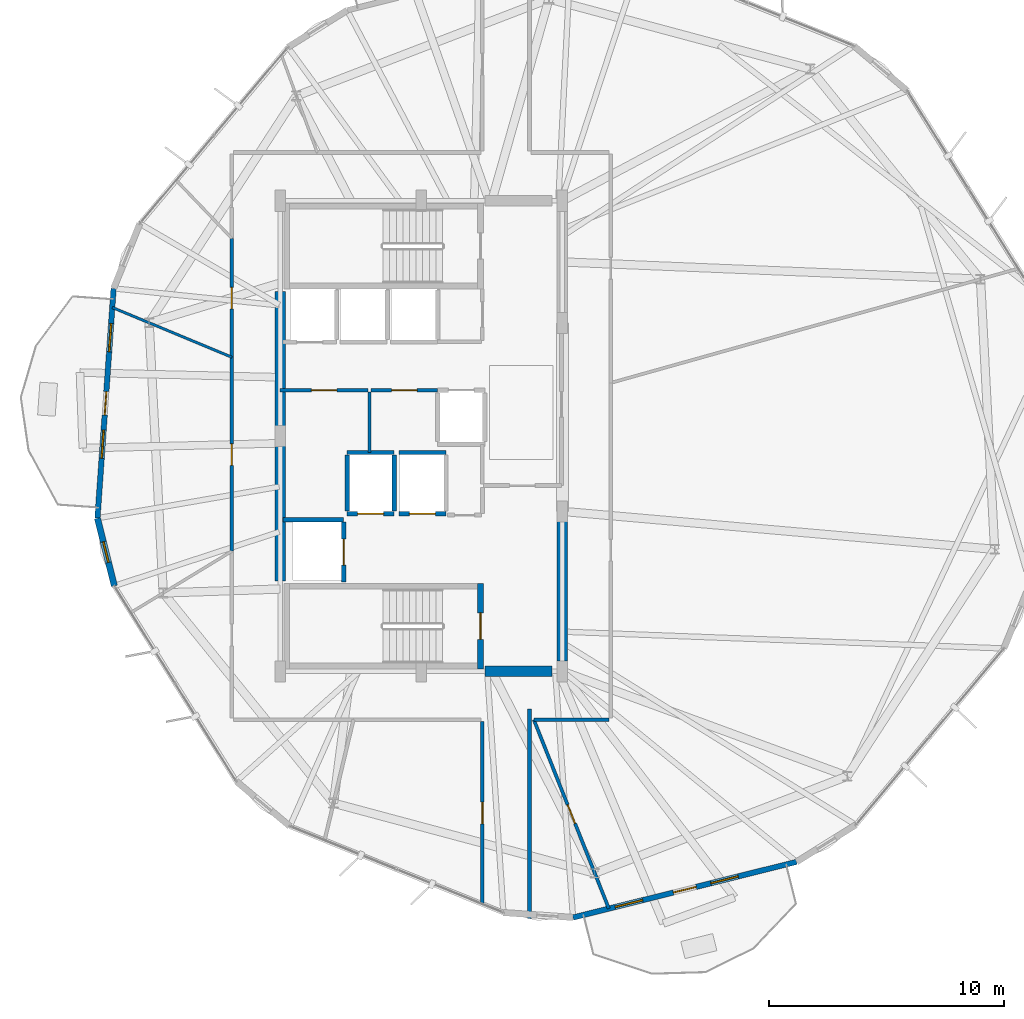
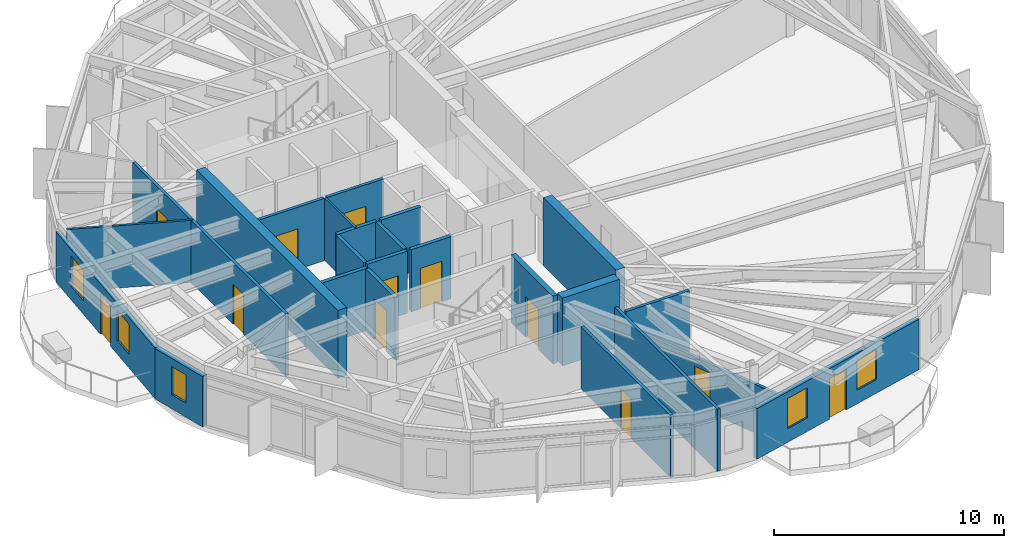
# One storey, part 18 of 23: 25 walls, 12 doors, 5 windows, 17 openings.
"""IFC4 building model written with IfcOpenShell, lengths in metres."""

from ifc_helpers import new_model, si_unit, direction, frame, frame_2d, origin, place, context, subcontext, project, spatial, rectangle, extrude, material, layer, layer_set, type_object, element, fill, save


model = new_model("IFC4")

# Units and contexts
model_context = context("Model", 3, precision=1e-05, world=origin(), true_north=direction((0.0, 1.0)))
body_context = subcontext(model_context, "Body", "Model", "MODEL_VIEW")
ifc_project = project(units=[si_unit("LENGTHUNIT", "METRE"), si_unit("AREAUNIT", "SQUARE_METRE"), si_unit("VOLUMEUNIT", "CUBIC_METRE"), si_unit("PLANEANGLEUNIT", "RADIAN"), si_unit("MASSUNIT", "GRAM", prefix="KILO")], contexts=[model_context])

# Site, building, storey
site_placement = place(None, origin())
site = spatial("IfcSite", under=ifc_project, at=site_placement, CompositionType="ELEMENT")
building_placement = place(site_placement, origin())
building = spatial("IfcBuilding", under=site, at=building_placement, Name="Soratama Intermodal Tower", CompositionType="ELEMENT")
storey_placement = place(building_placement, frame((0.0, 0.0, 215.800048828125)))
storey = spatial("IfcBuildingStorey", under=building, at=storey_placement, Name="L54", CompositionType="ELEMENT", Elevation=215.800048828125)

# Wall, openings, door, windows
ifc_material_1 = material(Name="Concrete f'c 42 MPa", Category="concrete")
ifc_layer_1 = layer(ifc_material_1, 0.22998046875)
ifc_layer_set_1 = layer_set([ifc_layer_1], Name="Concrete f'c 42 MPa")
wall_type_1 = type_object("IfcWallType", Name="EW-BAL-230", PredefinedType="SOLIDWALL", material=ifc_layer_set_1)
wall_1_placement = place(storey_placement, frame((25.526123046875, 31.27587890625, 0.0), z_axis=(0.0, 0.0, 1.0), x_axis=(-0.070121693516, -0.997538444421, 0.0)))
wall_1 = element("IfcWall", 1, at=wall_1_placement, inside=storey, type_object=wall_type_1, Name="L54 Terrace Wall F04", PredefinedType="SOLIDWALL", context=body_context, shape_type="SweptSolid", body=[
    extrude(rectangle(XDim=9.79052734375, YDim=0.22998046875, at=frame_2d((4.895263671875, 0.0))), origin(), (0.0, 0.0, 1.0), 2.678955078125),
])
opening_1_placement = place(wall_1_placement, frame((4.395263671875, 0.0, 0.0)))
opening_1 = element("IfcOpeningElement", 2, at=opening_1_placement, cuts=wall_1, Name="Opening ED-2", PredefinedType="OPENING", context=body_context, shape_type="SweptSolid", body=[
    extrude(rectangle(XDim=1.0, YDim=2.14990234375, at=frame_2d((0.5, 1.074951171875))), frame((0.0, 0.125, 0.0), z_axis=(0.0, -1.0, 0.0), x_axis=(1.0, 0.0, 0.0)), (0.0, 0.0, 1.0), 0.25),
])
opening_2_placement = place(wall_1_placement, frame((1.49755859375, 0.0, 0.719970703125)))
opening_2 = element("IfcOpeningElement", 3, at=opening_2_placement, cuts=wall_1, Name="Opening WN-2", PredefinedType="OPENING", context=body_context, shape_type="SweptSolid", body=[
    extrude(rectangle(XDim=1.199951171875, YDim=1.60009765625, at=frame_2d((0.60009765625, 0.800048828125))), frame((0.0, 0.125, 0.0), z_axis=(0.0, -1.0, 0.0), x_axis=(1.0, 0.0, 0.0)), (0.0, 0.0, 1.0), 0.25),
])
opening_3_placement = place(wall_1_placement, frame((6.03515625, 0.0, 0.719970703125)))
opening_3 = element("IfcOpeningElement", 4, at=opening_3_placement, cuts=wall_1, Name="Opening WN-2", PredefinedType="OPENING", context=body_context, shape_type="SweptSolid", body=[
    extrude(rectangle(XDim=1.199951171875, YDim=1.60009765625, at=frame_2d((0.60009765625, 0.800048828125))), frame((0.0, 0.125, 0.0), z_axis=(0.0, -1.0, 0.0), x_axis=(1.0, 0.0, 0.0)), (0.0, 0.0, 1.0), 0.25),
])
ifc_material_2 = material(Name="Double-glazed aluminium door", Category="aluminium")
door_type_1 = type_object("IfcDoorType", Name="DR-BAL-1000", OperationType="NOTDEFINED", PredefinedType="DOOR", material=ifc_material_2)
door_1_placement = place(opening_1_placement, origin())
door_1 = element("IfcDoor", 5, at=door_1_placement, inside=storey, type_object=door_type_1, Name="L54 Balcony Door F04", OperationType="SINGLE_SWING_RIGHT", OverallHeight=2.14990234375, OverallWidth=1.0, PredefinedType="DOOR", context=body_context, shape_type="SweptSolid", body=[
    extrude(rectangle(XDim=1.0, YDim=2.14990234375, at=frame_2d((0.5, 1.074951171875))), frame((0.0, 0.02490234375, 0.0), z_axis=(0.0, -1.0, 0.0), x_axis=(1.0, 0.0, 0.0)), (0.0, 0.0, 1.0), 0.050048828125),
])
fill(opening_1, door_1)
ifc_material_3 = material(Name="Double-glazed aluminium window", Category="aluminium")
window_type_1 = type_object("IfcWindowType", Name="WN-FAC-1200", PartitioningType="SINGLE_PANEL", PredefinedType="WINDOW", material=ifc_material_3)
window_1_placement = place(opening_2_placement, origin())
window_1 = element("IfcWindow", 6, at=window_1_placement, inside=storey, type_object=window_type_1, Name="L54 Window A F04", OverallHeight=1.60009765625, OverallWidth=1.199951171875, PartitioningType="SINGLE_PANEL", PredefinedType="WINDOW", context=body_context, shape_type="SweptSolid", body=[
    extrude(rectangle(XDim=1.199951171875, YDim=1.60009765625, at=frame_2d((0.60009765625, 0.800048828125))), frame((0.0, 0.030029296875, 0.0), z_axis=(0.0, -1.0, 0.0), x_axis=(1.0, 0.0, 0.0)), (0.0, 0.0, 1.0), 0.06005859375),
])
fill(opening_2, window_1)
window_2_placement = place(opening_3_placement, origin())
window_2 = element("IfcWindow", 7, at=window_2_placement, inside=storey, type_object=window_type_1, Name="L54 Window B F04", OverallHeight=1.60009765625, OverallWidth=1.199951171875, PartitioningType="SINGLE_PANEL", PredefinedType="WINDOW", context=body_context, shape_type="SweptSolid", body=[
    extrude(rectangle(XDim=1.199951171875, YDim=1.60009765625, at=frame_2d((0.60009765625, 0.800048828125))), frame((0.0, 0.030029296875, 0.0), z_axis=(0.0, -1.0, 0.0), x_axis=(1.0, 0.0, 0.0)), (0.0, 0.0, 1.0), 0.06005859375),
])
fill(opening_3, window_2)

wall_2_placement = place(storey_placement, frame((45.049072265625, 4.539794921875, 0.0), z_axis=(0.0, 0.0, 1.0), x_axis=(0.970379664845, 0.241584987229, 0.0)))
wall_2 = element("IfcWall", 8, at=wall_2_placement, inside=storey, type_object=wall_type_1, Name="L54 Terrace Wall F07", PredefinedType="SOLIDWALL", context=body_context, shape_type="SweptSolid", body=[
    extrude(rectangle(XDim=9.79052734375, YDim=0.22998046875, at=frame_2d((4.895263671875, 0.0))), origin(), (0.0, 0.0, 1.0), 2.678955078125),
])
opening_4_placement = place(wall_2_placement, frame((4.395263671875, 0.0, 0.0)))
opening_4 = element("IfcOpeningElement", 9, at=opening_4_placement, cuts=wall_2, Name="Opening ED-2", PredefinedType="OPENING", context=body_context, shape_type="SweptSolid", body=[
    extrude(rectangle(XDim=1.0, YDim=2.14990234375, at=frame_2d((0.5, 1.074951171875))), frame((0.0, 0.125, 0.0), z_axis=(0.0, -1.0, 0.0), x_axis=(1.0, 0.0, 0.0)), (0.0, 0.0, 1.0), 0.25),
])
opening_5_placement = place(wall_2_placement, frame((1.85009765625, 0.0, 0.719970703125)))
opening_5 = element("IfcOpeningElement", 10, at=opening_5_placement, cuts=wall_2, Name="Opening WN-2", PredefinedType="OPENING", context=body_context, shape_type="SweptSolid", body=[
    extrude(rectangle(XDim=1.199951171875, YDim=1.60009765625, at=frame_2d((0.60009765625, 0.800048828125))), frame((0.0, 0.125, 0.0), z_axis=(0.0, -1.0, 0.0), x_axis=(1.0, 0.0, 0.0)), (0.0, 0.0, 1.0), 0.25),
])
opening_6_placement = place(wall_2_placement, frame((6.03515625, 0.0, 0.719970703125)))
opening_6 = element("IfcOpeningElement", 11, at=opening_6_placement, cuts=wall_2, Name="Opening WN-2", PredefinedType="OPENING", context=body_context, shape_type="SweptSolid", body=[
    extrude(rectangle(XDim=1.199951171875, YDim=1.60009765625, at=frame_2d((0.60009765625, 0.800048828125))), frame((0.0, 0.125, 0.0), z_axis=(0.0, -1.0, 0.0), x_axis=(1.0, 0.0, 0.0)), (0.0, 0.0, 1.0), 0.25),
])
door_2_placement = place(opening_4_placement, origin())
door_2 = element("IfcDoor", 12, at=door_2_placement, inside=storey, type_object=door_type_1, Name="L54 Balcony Door F07", OperationType="SINGLE_SWING_LEFT", OverallHeight=2.14990234375, OverallWidth=1.0, PredefinedType="DOOR", context=body_context, shape_type="SweptSolid", body=[
    extrude(rectangle(XDim=1.0, YDim=2.14990234375, at=frame_2d((0.5, 1.074951171875))), frame((0.0, 0.02490234375, 0.0), z_axis=(0.0, -1.0, 0.0), x_axis=(1.0, 0.0, 0.0)), (0.0, 0.0, 1.0), 0.050048828125),
])
fill(opening_4, door_2)
window_3_placement = place(opening_5_placement, origin())
window_3 = element("IfcWindow", 13, at=window_3_placement, inside=storey, type_object=window_type_1, Name="L54 Window A F07", OverallHeight=1.60009765625, OverallWidth=1.199951171875, PartitioningType="SINGLE_PANEL", PredefinedType="WINDOW", context=body_context, shape_type="SweptSolid", body=[
    extrude(rectangle(XDim=1.199951171875, YDim=1.60009765625, at=frame_2d((0.60009765625, 0.800048828125))), frame((0.0, 0.030029296875, 0.0), z_axis=(0.0, -1.0, 0.0), x_axis=(1.0, 0.0, 0.0)), (0.0, 0.0, 1.0), 0.06005859375),
])
fill(opening_5, window_3)
window_4_placement = place(opening_6_placement, origin())
window_4 = element("IfcWindow", 14, at=window_4_placement, inside=storey, type_object=window_type_1, Name="L54 Window B F07", OverallHeight=1.60009765625, OverallWidth=1.199951171875, PartitioningType="SINGLE_PANEL", PredefinedType="WINDOW", context=body_context, shape_type="SweptSolid", body=[
    extrude(rectangle(XDim=1.199951171875, YDim=1.60009765625, at=frame_2d((0.60009765625, 0.800048828125))), frame((0.0, 0.030029296875, 0.0), z_axis=(0.0, -1.0, 0.0), x_axis=(1.0, 0.0, 0.0)), (0.0, 0.0, 1.0), 0.06005859375),
])
fill(opening_6, window_4)

# Wall, opening, window
ifc_material_4 = material(Name="Concrete f'c 42 MPa", Category="concrete")
ifc_layer_2 = layer(ifc_material_4, 0.27001953125)
ifc_layer_set_2 = layer_set([ifc_layer_2], Name="Concrete f'c 42 MPa")
wall_type_2 = type_object("IfcWallType", Name="EW-CRN-270", PredefinedType="SOLIDWALL", material=ifc_layer_set_2)
wall_3_placement = place(storey_placement, frame((24.839599609375, 21.509521484375, 0.0), z_axis=(0.0, 0.0, 1.0), x_axis=(0.241625404989, -0.970369601577, 0.0)))
wall_3 = element("IfcWall", 15, at=wall_3_placement, inside=storey, type_object=wall_type_2, Name="L54 Corner Closure Wall 04", PredefinedType="SOLIDWALL", context=body_context, shape_type="SweptSolid", body=[
    extrude(rectangle(XDim=2.966552734375, YDim=0.27001953125, at=frame_2d((1.4833984375, 0.0))), origin(), (0.0, 0.0, 1.0), 2.678955078125),
])
opening_7_placement = place(wall_3_placement, frame((1.033203125, 0.0, 0.75)))
opening_7 = element("IfcOpeningElement", 16, at=opening_7_placement, cuts=wall_3, Name="Opening WN-6", PredefinedType="OPENING", context=body_context, shape_type="SweptSolid", body=[
    extrude(rectangle(XDim=0.89990234375, YDim=1.5, at=frame_2d((0.449951171875, 0.75))), frame((0.0, 0.14501953125, 0.0), z_axis=(0.0, -1.0, 0.0), x_axis=(1.0, 0.0, 0.0)), (0.0, 0.0, 1.0), 0.2900390625),
])
ifc_material_5 = material(Name="Double-glazed aluminium window", Category="aluminium")
window_type_2 = type_object("IfcWindowType", Name="WN-FAC-900", PartitioningType="SINGLE_PANEL", PredefinedType="WINDOW", material=ifc_material_5)
window_5_placement = place(opening_7_placement, origin())
window_5 = element("IfcWindow", 17, at=window_5_placement, inside=storey, type_object=window_type_2, Name="L54 Corner Window 04", OverallHeight=1.5, OverallWidth=0.89990234375, PartitioningType="SINGLE_PANEL", PredefinedType="WINDOW", context=body_context, shape_type="SweptSolid", body=[
    extrude(rectangle(XDim=0.89990234375, YDim=1.5, at=frame_2d((0.449951171875, 0.75))), frame((0.0, 0.030029296875, 0.0), z_axis=(0.0, -1.0, 0.0), x_axis=(1.0, 0.0, 0.0)), (0.0, 0.0, 1.0), 0.06005859375),
])
fill(opening_7, window_5)

# Wall, opening, door
ifc_material_6 = material(Name="Fire-rated gypsum stud partition", Category="concrete")
ifc_layer_3 = layer(ifc_material_6, 0.14990234375)
ifc_layer_set_3 = layer_set([ifc_layer_3], Name="Fire-rated gypsum stud partition")
wall_type_3 = type_object("IfcWallType", Name="IW-PART-R150", PredefinedType="PARTITIONING", material=ifc_layer_set_3)
wall_4_placement = place(storey_placement, frame((30.550048828125, 20.10595703125, 0.0), z_axis=(0.0, 0.0, 1.0), x_axis=(0.0, 1.0, 0.0)))
wall_4 = element("IfcWall", 18, at=wall_4_placement, inside=storey, type_object=wall_type_3, Name="L54 Partition W-L54-TP005", PredefinedType="PARTITIONING", context=body_context, shape_type="SweptSolid", body=[
    extrude(rectangle(XDim=8.2451171875, YDim=0.14990234375, at=frame_2d((4.12255859375, 0.0))), origin(), (0.0, 0.0, 1.0), 3.300048828125),
])
opening_8_placement = place(wall_4_placement, frame((3.64697265625, 0.0, 0.0)))
opening_8 = element("IfcOpeningElement", 19, at=opening_8_placement, cuts=wall_4, Name="Opening ID-6", PredefinedType="OPENING", context=body_context, shape_type="SweptSolid", body=[
    extrude(rectangle(XDim=0.919921875, YDim=2.1201171875, at=frame_2d((0.4599609375, 1.06005859375))), frame((0.0, 0.0849609375, 0.0), z_axis=(0.0, -1.0, 0.0), x_axis=(1.0, 0.0, 0.0)), (0.0, 0.0, 1.0), 0.169921875),
])
ifc_material_7 = material(Name="Solid hardwood acoustic door", Category="wood")
door_type_2 = type_object("IfcDoorType", Name="DR-ROOM-920", OperationType="NOTDEFINED", PredefinedType="DOOR", material=ifc_material_7)
door_3_placement = place(opening_8_placement, origin())
door_3 = element("IfcDoor", 20, at=door_3_placement, inside=storey, type_object=door_type_2, Name="L54 Door D-L54-TP003", OperationType="SINGLE_SWING_RIGHT", OverallHeight=2.1201171875, OverallWidth=0.919921875, PredefinedType="DOOR", context=body_context, shape_type="SweptSolid", body=[
    extrude(rectangle(XDim=0.919921875, YDim=2.1201171875, at=frame_2d((0.4599609375, 1.06005859375))), frame((0.0, 0.02490234375, 0.0), z_axis=(0.0, -1.0, 0.0), x_axis=(1.0, 0.0, 0.0)), (0.0, 0.0, 1.0), 0.050048828125),
])
fill(opening_8, door_3)

wall_5_placement = place(storey_placement, frame((41.199951171875, 5.10791015625, 0.0), z_axis=(0.0, 0.0, 1.0), x_axis=(0.0, 1.0, 0.0)))
wall_5 = element("IfcWall", 21, at=wall_5_placement, inside=storey, type_object=wall_type_3, Name="L54 Partition W-L54-TP007", PredefinedType="PARTITIONING", context=body_context, shape_type="SweptSolid", body=[
    extrude(rectangle(XDim=7.77197265625, YDim=0.14990234375, at=frame_2d((3.885986328125, 0.0))), origin(), (0.0, 0.0, 1.0), 3.300048828125),
])
opening_9_placement = place(wall_5_placement, frame((3.410888671875, 0.0, 0.0)))
opening_9 = element("IfcOpeningElement", 22, at=opening_9_placement, cuts=wall_5, Name="Opening ID-6", PredefinedType="OPENING", context=body_context, shape_type="SweptSolid", body=[
    extrude(rectangle(XDim=0.919921875, YDim=2.1201171875, at=frame_2d((0.4599609375, 1.06005859375))), frame((0.0, 0.0849609375, 0.0), z_axis=(0.0, -1.0, 0.0), x_axis=(1.0, 0.0, 0.0)), (0.0, 0.0, 1.0), 0.169921875),
])
door_4_placement = place(opening_9_placement, origin())
door_4 = element("IfcDoor", 23, at=door_4_placement, inside=storey, type_object=door_type_2, Name="L54 Door D-L54-TP004", OperationType="SINGLE_SWING_LEFT", OverallHeight=2.1201171875, OverallWidth=0.919921875, PredefinedType="DOOR", context=body_context, shape_type="SweptSolid", body=[
    extrude(rectangle(XDim=0.919921875, YDim=2.1201171875, at=frame_2d((0.4599609375, 1.06005859375))), frame((0.0, 0.02490234375, 0.0), z_axis=(0.0, -1.0, 0.0), x_axis=(1.0, 0.0, 0.0)), (0.0, 0.0, 1.0), 0.050048828125),
])
fill(opening_9, door_4)

wall_6_placement = place(storey_placement, frame((30.550048828125, 28.35107421875, 0.0), z_axis=(0.0, 0.0, 1.0), x_axis=(0.0, 1.0, 0.0)))
wall_6 = element("IfcWall", 24, at=wall_6_placement, inside=storey, type_object=wall_type_3, Name="L54 Partition W-L54-TP016", PredefinedType="PARTITIONING", context=body_context, shape_type="SweptSolid", body=[
    extrude(rectangle(XDim=5.0498046875, YDim=0.14990234375, at=frame_2d((2.52490234375, 0.0))), origin(), (0.0, 0.0, 1.0), 3.300048828125),
])
opening_10_placement = place(wall_6_placement, frame((2.050048828125, 0.0, 0.0)))
opening_10 = element("IfcOpeningElement", 25, at=opening_10_placement, cuts=wall_6, Name="Opening ID-6", PredefinedType="OPENING", context=body_context, shape_type="SweptSolid", body=[
    extrude(rectangle(XDim=0.919921875, YDim=2.1201171875, at=frame_2d((0.4599609375, 1.06005859375))), frame((0.0, 0.0849609375, 0.0), z_axis=(0.0, -1.0, 0.0), x_axis=(1.0, 0.0, 0.0)), (0.0, 0.0, 1.0), 0.169921875),
])
door_5_placement = place(opening_10_placement, origin())
door_5 = element("IfcDoor", 26, at=door_5_placement, inside=storey, type_object=door_type_2, Name="L54 Door D-L54-TP008", OperationType="SINGLE_SWING_LEFT", OverallHeight=2.1201171875, OverallWidth=0.919921875, PredefinedType="DOOR", context=body_context, shape_type="SweptSolid", body=[
    extrude(rectangle(XDim=0.919921875, YDim=2.1201171875, at=frame_2d((0.4599609375, 1.06005859375))), frame((0.0, 0.02490234375, 0.0), z_axis=(0.0, -1.0, 0.0), x_axis=(1.0, 0.0, 0.0)), (0.0, 0.0, 1.0), 0.050048828125),
])
fill(opening_10, door_5)

wall_7_placement = place(storey_placement, frame((36.340087890625, 26.93994140625, 0.0), z_axis=(0.0, 0.0, 1.0), x_axis=(-1.0, 0.0, 0.0)))
wall_7 = element("IfcWall", 27, at=wall_7_placement, inside=storey, type_object=wall_type_3, Name="L54 Partition W-L54-TP019", PredefinedType="PARTITIONING", context=body_context, shape_type="SweptSolid", body=[
    extrude(rectangle(XDim=3.739990234375, YDim=0.14990234375, at=frame_2d((1.8701171875, 0.0))), origin(), (0.0, 0.0, 1.0), 3.300048828125),
])
opening_11_placement = place(wall_7_placement, frame((1.330078125, 0.0, 0.0)))
opening_11 = element("IfcOpeningElement", 28, at=opening_11_placement, cuts=wall_7, Name="Opening ID-1", PredefinedType="OPENING", context=body_context, shape_type="SweptSolid", body=[
    extrude(rectangle(XDim=1.080078125, YDim=2.14990234375, at=frame_2d((0.5400390625, 1.074951171875))), frame((0.0, 0.0849609375, 0.0), z_axis=(0.0, -1.0, 0.0), x_axis=(1.0, 0.0, 0.0)), (0.0, 0.0, 1.0), 0.169921875),
])
ifc_material_8 = material(Name="Solid hardwood acoustic door", Category="wood")
door_type_3 = type_object("IfcDoorType", Name="DR-LOB-FD60", OperationType="NOTDEFINED", PredefinedType="DOOR", material=ifc_material_8)
door_6_placement = place(opening_11_placement, origin())
door_6 = element("IfcDoor", 29, at=door_6_placement, inside=storey, type_object=door_type_3, Name="L54 Door D-L54-TP009", OperationType="SINGLE_SWING_RIGHT", OverallHeight=2.14990234375, OverallWidth=1.080078125, PredefinedType="DOOR", context=body_context, shape_type="SweptSolid", body=[
    extrude(rectangle(XDim=1.080078125, YDim=2.14990234375, at=frame_2d((0.5400390625, 1.074951171875))), frame((0.0, 0.02490234375, 0.0), z_axis=(0.0, -1.0, 0.0), x_axis=(1.0, 0.0, 0.0)), (0.0, 0.0, 1.0), 0.050048828125),
])
fill(opening_11, door_6)

# Wall
wall_8_placement = place(storey_placement, frame((46.580078125, 12.949951171875, 0.0), z_axis=(0.0, 0.0, 1.0), x_axis=(-1.0, 0.0, 0.0)))
element("IfcWall", 30, at=wall_8_placement, inside=storey, type_object=wall_type_3, Name="L54 Partition W-L54-TP025", PredefinedType="PARTITIONING", context=body_context, shape_type="SweptSolid", body=[
    extrude(rectangle(XDim=3.197021484375, YDim=0.14990234375, at=frame_2d((1.5986328125, 0.0))), origin(), (0.0, 0.0, 1.0), 3.300048828125),
])

# Wall, opening, door
wall_9_placement = place(storey_placement, frame((39.300048828125, 26.93994140625, 0.0), z_axis=(0.0, 0.0, 1.0), x_axis=(-1.0, 0.0, 0.0)))
wall_9 = element("IfcWall", 31, at=wall_9_placement, inside=storey, type_object=wall_type_3, Name="L54 Partition W-L54-TP026", PredefinedType="PARTITIONING", context=body_context, shape_type="SweptSolid", body=[
    extrude(rectangle(XDim=2.840087890625, YDim=0.14990234375, at=frame_2d((1.419921875, 0.0))), origin(), (0.0, 0.0, 1.0), 3.300048828125),
])
opening_12_placement = place(wall_9_placement, frame((0.8798828125, 0.0, 0.0)))
opening_12 = element("IfcOpeningElement", 32, at=opening_12_placement, cuts=wall_9, Name="Opening ID-1", PredefinedType="OPENING", context=body_context, shape_type="SweptSolid", body=[
    extrude(rectangle(XDim=1.080078125, YDim=2.14990234375, at=frame_2d((0.5400390625, 1.074951171875))), frame((0.0, 0.0849609375, 0.0), z_axis=(0.0, -1.0, 0.0), x_axis=(1.0, 0.0, 0.0)), (0.0, 0.0, 1.0), 0.169921875),
])
door_7_placement = place(opening_12_placement, origin())
door_7 = element("IfcDoor", 33, at=door_7_placement, inside=storey, type_object=door_type_3, Name="L54 Door D-L54-TP012", OperationType="SINGLE_SWING_LEFT", OverallHeight=2.14990234375, OverallWidth=1.080078125, PredefinedType="DOOR", context=body_context, shape_type="SweptSolid", body=[
    extrude(rectangle(XDim=1.080078125, YDim=2.14990234375, at=frame_2d((0.5400390625, 1.074951171875))), frame((0.0, 0.02490234375, 0.0), z_axis=(0.0, -1.0, 0.0), x_axis=(1.0, 0.0, 0.0)), (0.0, 0.0, 1.0), 0.050048828125),
])
fill(opening_12, door_7)

# Walls
wall_10_placement = place(storey_placement, frame((43.199951171875, 13.410888671875, 0.0), z_axis=(0.0, 0.0, 1.0), x_axis=(0.0, -1.0, 0.0)))
element("IfcWall", 34, at=wall_10_placement, inside=storey, type_object=wall_type_3, Name="L54 Partition W-L54-TP033", PredefinedType="PARTITIONING", context=body_context, shape_type="SweptSolid", body=[
    extrude(rectangle(XDim=8.919921875, YDim=0.14990234375, at=frame_2d((4.4599609375, 0.0))), origin(), (0.0, 0.0, 1.0), 3.300048828125),
])
ifc_material_9 = material(Name="Fire-rated gypsum stud partition", Category="concrete")
ifc_layer_4 = layer(ifc_material_9, 0.110107421875)
ifc_layer_set_4 = layer_set([ifc_layer_4], Name="Fire-rated gypsum stud partition")
wall_type_4 = type_object("IfcWallType", Name="IW-PART-S110", PredefinedType="PARTITIONING", material=ifc_layer_set_4)
wall_11_placement = place(storey_placement, frame((30.550048828125, 28.35107421875, 0.0), z_axis=(0.0, 0.0, 1.0), x_axis=(-0.923276299753, 0.384136530826, 0.0)))
element("IfcWall", 35, at=wall_11_placement, inside=storey, type_object=wall_type_4, Name="L54 Partition W-L54-TP012", PredefinedType="PARTITIONING", context=body_context, shape_type="SweptSolid", body=[
    extrude(rectangle(XDim=5.503173828125, YDim=0.110107421875, at=frame_2d((2.75146484375, 0.0))), origin(), (0.0, 0.0, 1.0), 3.300048828125),
])
wall_12_placement = place(storey_placement, frame((36.39990234375, 26.8798828125, 0.0), z_axis=(0.0, 0.0, 1.0), x_axis=(0.0, -1.0, 0.0)))
element("IfcWall", 36, at=wall_12_placement, inside=storey, type_object=wall_type_4, Name="L54 Partition W-L54-TP027", PredefinedType="PARTITIONING", context=body_context, shape_type="SweptSolid", body=[
    extrude(rectangle(XDim=2.579833984375, YDim=0.110107421875, at=frame_2d((1.2900390625, 0.0))), origin(), (0.0, 0.0, 1.0), 3.300048828125),
])

# Wall, opening, door
ifc_material_10 = material(Name="Fire-rated gypsum stud partition", Category="concrete")
ifc_layer_5 = layer(ifc_material_10, 0.139892578125)
ifc_layer_set_5 = layer_set([ifc_layer_5], Name="Fire-rated gypsum stud partition")
wall_type_5 = type_object("IfcWallType", Name="IW-PART-S140", PredefinedType="PARTITIONING", material=ifc_layer_set_5)
wall_13_placement = place(storey_placement, frame((43.383056640625, 12.949951171875, 0.0), z_axis=(0.0, 0.0, 1.0), x_axis=(0.369051252382, -0.929409045101, 0.0)))
wall_13 = element("IfcWall", 37, at=wall_13_placement, inside=storey, type_object=wall_type_5, Name="L54 Partition W-L54-TP004", PredefinedType="PARTITIONING", context=body_context, shape_type="SweptSolid", body=[
    extrude(rectangle(XDim=8.640869140625, YDim=0.139892578125, at=frame_2d((4.3203125, 0.0))), origin(), (0.0, 0.0, 1.0), 2.594970703125),
])
opening_13_placement = place(wall_13_placement, frame((3.89501953125, 0.0, 0.0)))
opening_13 = element("IfcOpeningElement", 38, at=opening_13_placement, cuts=wall_13, Name="Opening ID-4", PredefinedType="OPENING", context=body_context, shape_type="SweptSolid", body=[
    extrude(rectangle(XDim=0.85009765625, YDim=2.10009765625, at=frame_2d((0.425048828125, 1.050048828125))), frame((0.0, 0.079833984375, 0.0), z_axis=(0.0, -1.0, 0.0), x_axis=(1.0, 0.0, 0.0)), (0.0, 0.0, 1.0), 0.159912109375),
])
ifc_material_11 = material(Name="Solid hardwood acoustic door", Category="wood")
door_type_4 = type_object("IfcDoorType", Name="DR-BATH-850", OperationType="NOTDEFINED", PredefinedType="DOOR", material=ifc_material_11)
door_8_placement = place(opening_13_placement, origin())
door_8 = element("IfcDoor", 39, at=door_8_placement, inside=storey, type_object=door_type_4, Name="L54 Door D-L54-TP015", OperationType="SINGLE_SWING_LEFT", OverallHeight=2.10009765625, OverallWidth=0.85009765625, PredefinedType="DOOR", context=body_context, shape_type="SweptSolid", body=[
    extrude(rectangle(XDim=0.85009765625, YDim=2.10009765625, at=frame_2d((0.425048828125, 1.050048828125))), frame((0.0, 0.02490234375, 0.0), z_axis=(0.0, -1.0, 0.0), x_axis=(1.0, 0.0, 0.0)), (0.0, 0.0, 1.0), 0.050048828125),
])
fill(opening_13, door_8)

ifc_material_12 = material(Name="Concrete f'c 42 MPa", Category="concrete")
ifc_layer_6 = layer(ifc_material_12, 0.18505859375)
ifc_layer_set_6 = layer_set([ifc_layer_6], Name="Concrete f'c 42 MPa")
wall_type_6 = type_object("IfcWallType", Name="IW-SHAFT-185", PredefinedType="SOLIDWALL", material=ifc_layer_set_6)
wall_14_placement = place(storey_placement, frame((35.449951171875, 21.699951171875, 0.0), z_axis=(0.0, 0.0, 1.0), x_axis=(1.0, 0.0, 0.0)))
wall_14 = element("IfcWall", 40, at=wall_14_placement, inside=storey, type_object=wall_type_6, Name="L54 FFL-1 Hoistway Wall S", PredefinedType="SOLIDWALL", context=body_context, shape_type="SweptSolid", body=[
    extrude(rectangle(XDim=2.0, YDim=0.18505859375, at=frame_2d((1.0, 0.0))), origin(), (0.0, 0.0, 1.0), 3.300048828125),
])
opening_14_placement = place(wall_14_placement, frame((0.449951171875, 0.0, 0.0)))
opening_14 = element("IfcOpeningElement", 41, at=opening_14_placement, cuts=wall_14, Name="Opening LD-1", PredefinedType="OPENING", context=body_context, shape_type="SweptSolid", body=[
    extrude(rectangle(XDim=1.10009765625, YDim=2.14990234375, at=frame_2d((0.550048828125, 1.074951171875))), frame((0.0, 0.1025390625, 0.0), z_axis=(0.0, -1.0, 0.0), x_axis=(1.0, 0.0, 0.0)), (0.0, 0.0, 1.0), 0.205078125),
])
ifc_material_13 = material(Name="Steel fire door", Category="steel")
door_type_5 = type_object("IfcDoorType", Name="DR-LIFT-SLIDE", OperationType="NOTDEFINED", PredefinedType="DOOR", material=ifc_material_13)
door_9_placement = place(opening_14_placement, origin())
door_9 = element("IfcDoor", 42, at=door_9_placement, inside=storey, type_object=door_type_5, Name="L54 FFL-1 Sliding Landing Door", OperationType="SLIDING_TO_LEFT", OverallHeight=2.14990234375, OverallWidth=1.10009765625, PredefinedType="DOOR", context=body_context, shape_type="SweptSolid", body=[
    extrude(rectangle(XDim=1.10009765625, YDim=2.14990234375, at=frame_2d((0.550048828125, 1.074951171875))), frame((0.0, 0.02490234375, 0.0), z_axis=(0.0, -1.0, 0.0), x_axis=(1.0, 0.0, 0.0)), (0.0, 0.0, 1.0), 0.050048828125),
])
fill(opening_14, door_9)

# Walls
wall_15_placement = place(storey_placement, frame((35.449951171875, 24.300048828125, 0.0), z_axis=(0.0, 0.0, 1.0), x_axis=(1.0, 0.0, 0.0)))
element("IfcWall", 43, at=wall_15_placement, inside=storey, type_object=wall_type_6, Name="L54 FFL-1 Hoistway Wall N", PredefinedType="SOLIDWALL", context=body_context, shape_type="SweptSolid", body=[
    extrude(rectangle(XDim=2.0, YDim=0.18505859375, at=frame_2d((1.0, 0.0))), origin(), (0.0, 0.0, 1.0), 3.300048828125),
])
for number, where, z_axis, x_axis, name in (
    (44, (35.449951171875, 21.81005859375, 0.0), (0.0, 0.0, 1.0), (0.0, 1.0, 0.0), "L54 FFL-1 Hoistway Wall W"),
    (45, (37.449951171875, 21.81005859375, 0.0), (0.0, 0.0, 1.0), (0.0, 1.0, 0.0), "L54 FFL-1 Hoistway Wall E"),
):
    element("IfcWall", number, at=place(storey_placement, frame(where, z_axis=z_axis, x_axis=x_axis)), inside=storey, type_object=wall_type_6, Name=name, PredefinedType="SOLIDWALL", context=body_context, shape_type="SweptSolid", body=[
        extrude(rectangle(XDim=2.3798828125, YDim=0.18505859375, at=frame_2d((1.18994140625, 0.0))), origin(), (0.0, 0.0, 1.0), 3.300048828125),
    ])

# Wall, opening, door
wall_16_placement = place(storey_placement, frame((37.64990234375, 21.699951171875, 0.0), z_axis=(0.0, 0.0, 1.0), x_axis=(1.0, 0.0, 0.0)))
wall_16 = element("IfcWall", 46, at=wall_16_placement, inside=storey, type_object=wall_type_6, Name="L54 FFL-2 Hoistway Wall S", PredefinedType="SOLIDWALL", context=body_context, shape_type="SweptSolid", body=[
    extrude(rectangle(XDim=2.0, YDim=0.18505859375, at=frame_2d((1.0, 0.0))), origin(), (0.0, 0.0, 1.0), 3.300048828125),
])
opening_15_placement = place(wall_16_placement, frame((0.449951171875, 0.0, 0.0)))
opening_15 = element("IfcOpeningElement", 47, at=opening_15_placement, cuts=wall_16, Name="Opening LD-1", PredefinedType="OPENING", context=body_context, shape_type="SweptSolid", body=[
    extrude(rectangle(XDim=1.10009765625, YDim=2.14990234375, at=frame_2d((0.550048828125, 1.074951171875))), frame((0.0, 0.1025390625, 0.0), z_axis=(0.0, -1.0, 0.0), x_axis=(1.0, 0.0, 0.0)), (0.0, 0.0, 1.0), 0.205078125),
])
door_10_placement = place(opening_15_placement, origin())
door_10 = element("IfcDoor", 48, at=door_10_placement, inside=storey, type_object=door_type_5, Name="L54 FFL-2 Sliding Landing Door", OperationType="SLIDING_TO_LEFT", OverallHeight=2.14990234375, OverallWidth=1.10009765625, PredefinedType="DOOR", context=body_context, shape_type="SweptSolid", body=[
    extrude(rectangle(XDim=1.10009765625, YDim=2.14990234375, at=frame_2d((0.550048828125, 1.074951171875))), frame((0.0, 0.02490234375, 0.0), z_axis=(0.0, -1.0, 0.0), x_axis=(1.0, 0.0, 0.0)), (0.0, 0.0, 1.0), 0.050048828125),
])
fill(opening_15, door_10)

# Walls
wall_17_placement = place(storey_placement, frame((37.64990234375, 24.300048828125, 0.0), z_axis=(0.0, 0.0, 1.0), x_axis=(1.0, 0.0, 0.0)))
element("IfcWall", 49, at=wall_17_placement, inside=storey, type_object=wall_type_6, Name="L54 FFL-2 Hoistway Wall N", PredefinedType="SOLIDWALL", context=body_context, shape_type="SweptSolid", body=[
    extrude(rectangle(XDim=2.0, YDim=0.18505859375, at=frame_2d((1.0, 0.0))), origin(), (0.0, 0.0, 1.0), 3.300048828125),
])
wall_18_placement = place(storey_placement, frame((32.719970703125, 21.449951171875, 0.0), z_axis=(0.0, 0.0, 1.0), x_axis=(1.0, 0.0, 0.0)))
element("IfcWall", 50, at=wall_18_placement, inside=storey, type_object=wall_type_6, Name="L54 SVL-1 Hoistway Wall N", PredefinedType="SOLIDWALL", context=body_context, shape_type="SweptSolid", body=[
    extrude(rectangle(XDim=2.580078125, YDim=0.18505859375, at=frame_2d((1.2900390625, 0.0))), origin(), (0.0, 0.0, 1.0), 3.300048828125),
])

# Wall, opening, door
wall_19_placement = place(storey_placement, frame((35.300048828125, 18.7900390625, 0.0), z_axis=(0.0, 0.0, 1.0), x_axis=(0.0, 1.0, 0.0)))
wall_19 = element("IfcWall", 51, at=wall_19_placement, inside=storey, type_object=wall_type_6, Name="L54 SVL-1 Hoistway Wall E", PredefinedType="SOLIDWALL", context=body_context, shape_type="SweptSolid", body=[
    extrude(rectangle(XDim=2.550048828125, YDim=0.18505859375, at=frame_2d((1.27490234375, 0.0))), origin(), (0.0, 0.0, 1.0), 3.300048828125),
])
opening_16_placement = place(wall_19_placement, frame((0.72509765625, 0.0, 0.0)))
opening_16 = element("IfcOpeningElement", 52, at=opening_16_placement, cuts=wall_19, Name="Opening LD-1", PredefinedType="OPENING", context=body_context, shape_type="SweptSolid", body=[
    extrude(rectangle(XDim=1.10009765625, YDim=2.14990234375, at=frame_2d((0.550048828125, 1.074951171875))), frame((0.0, 0.1025390625, 0.0), z_axis=(0.0, -1.0, 0.0), x_axis=(1.0, 0.0, 0.0)), (0.0, 0.0, 1.0), 0.205078125),
])
door_11_placement = place(opening_16_placement, origin())
door_11 = element("IfcDoor", 53, at=door_11_placement, inside=storey, type_object=door_type_5, Name="L54 SVL-1 Sliding Landing Door", OperationType="SLIDING_TO_LEFT", OverallHeight=2.14990234375, OverallWidth=1.10009765625, PredefinedType="DOOR", context=body_context, shape_type="SweptSolid", body=[
    extrude(rectangle(XDim=1.10009765625, YDim=2.14990234375, at=frame_2d((0.550048828125, 1.074951171875))), frame((0.0, 0.02490234375, 0.0), z_axis=(0.0, -1.0, 0.0), x_axis=(1.0, 0.0, 0.0)), (0.0, 0.0, 1.0), 0.050048828125),
])
fill(opening_16, door_11)

# Walls
ifc_material_14 = material(Name="Concrete f'c 56 MPa", Category="concrete")
ifc_layer_7 = layer(ifc_material_14, 0.449951171875)
ifc_layer_set_7 = layer_set([ifc_layer_7], Name="Concrete f'c 56 MPa")
wall_type_7 = type_object("IfcWallType", Name="SW-CORE-450", PredefinedType="SHEAR", material=ifc_layer_set_7)
wall_20_placement = place(storey_placement, frame((32.60009765625, 18.85009765625, 0.0), z_axis=(0.0, 0.0, 1.0), x_axis=(0.0, 1.0, 0.0)))
element("IfcWall", 54, at=wall_20_placement, inside=storey, type_object=wall_type_7, Name="L54 Core Shear Wall CW-WMID", PredefinedType="SHEAR", context=body_context, shape_type="SweptSolid", body=[
    extrude(rectangle(XDim=12.2998046875, YDim=0.449951171875, at=frame_2d((6.14990234375, 0.0))), origin(), (0.0, 0.0, 1.0), 3.599853515625),
])
wall_21_placement = place(storey_placement, frame((41.300048828125, 15.0, 0.0), z_axis=(0.0, 0.0, 1.0), x_axis=(1.0, 0.0, 0.0)))
element("IfcWall", 55, at=wall_21_placement, inside=storey, type_object=wall_type_7, Name="L54 Core Shear Wall CW-SE", PredefinedType="SHEAR", context=body_context, shape_type="SweptSolid", body=[
    extrude(rectangle(XDim=2.849853515625, YDim=0.449951171875, at=frame_2d((1.4248046875, 0.0))), origin(), (0.0, 0.0, 1.0), 3.599853515625),
])
wall_22_placement = place(storey_placement, frame((44.60009765625, 15.449951171875, 0.0), z_axis=(0.0, 0.0, 1.0), x_axis=(0.0, 1.0, 0.0)))
element("IfcWall", 56, at=wall_22_placement, inside=storey, type_object=wall_type_7, Name="L54 Core Shear Wall CW-ES", PredefinedType="SHEAR", context=body_context, shape_type="SweptSolid", body=[
    extrude(rectangle(XDim=6.35009765625, YDim=0.449951171875, at=frame_2d((3.175048828125, 0.0))), origin(), (0.0, 0.0, 1.0), 3.599853515625),
])

# Wall, opening, door
ifc_material_15 = material(Name="Concrete f'c 56 MPa", Category="concrete")
ifc_layer_8 = layer(ifc_material_15, 0.239990234375)
ifc_layer_set_8 = layer_set([ifc_layer_8], Name="Concrete f'c 56 MPa")
wall_type_8 = type_object("IfcWallType", Name="SW-STAIR-240", PredefinedType="SHEAR", material=ifc_layer_set_8)
wall_23_placement = place(storey_placement, frame((41.1201171875, 15.110107421875, 0.0), z_axis=(0.0, 0.0, 1.0), x_axis=(0.0, 1.0, 0.0)))
wall_23 = element("IfcWall", 57, at=wall_23_placement, inside=storey, type_object=wall_type_8, Name="L54 ST-1 Shaft Shear Wall E", PredefinedType="SHEAR", context=body_context, shape_type="SweptSolid", body=[
    extrude(rectangle(XDim=3.6298828125, YDim=0.239990234375, at=frame_2d((1.81494140625, 0.0))), origin(), (0.0, 0.0, 1.0), 3.599853515625),
])
opening_17_placement = place(wall_23_placement, frame((1.2548828125, 0.0, 0.0)))
opening_17 = element("IfcOpeningElement", 58, at=opening_17_placement, cuts=wall_23, Name="Opening SD-1", PredefinedType="OPENING", context=body_context, shape_type="SweptSolid", body=[
    extrude(rectangle(XDim=1.1201171875, YDim=2.14990234375, at=frame_2d((0.56005859375, 1.074951171875))), frame((0.0, 0.1298828125, 0.0), z_axis=(0.0, -1.0, 0.0), x_axis=(1.0, 0.0, 0.0)), (0.0, 0.0, 1.0), 0.260009765625),
])
ifc_material_16 = material(Name="Steel fire door", Category="steel")
door_type_6 = type_object("IfcDoorType", Name="DR-STAIR-FD90", OperationType="NOTDEFINED", PredefinedType="DOOR", material=ifc_material_16)
door_12_placement = place(opening_17_placement, origin())
door_12 = element("IfcDoor", 59, at=door_12_placement, inside=storey, type_object=door_type_6, Name="L54 ST-1 Exit Stair Door", OperationType="SINGLE_SWING_LEFT", OverallHeight=2.14990234375, OverallWidth=1.1201171875, PredefinedType="DOOR", context=body_context, shape_type="SweptSolid", body=[
    extrude(rectangle(XDim=1.1201171875, YDim=2.14990234375, at=frame_2d((0.56005859375, 1.074951171875))), frame((0.0, 0.02490234375, 0.0), z_axis=(0.0, -1.0, 0.0), x_axis=(1.0, 0.0, 0.0)), (0.0, 0.0, 1.0), 0.050048828125),
])
fill(opening_17, door_12)

save(model, "model.ifc")
